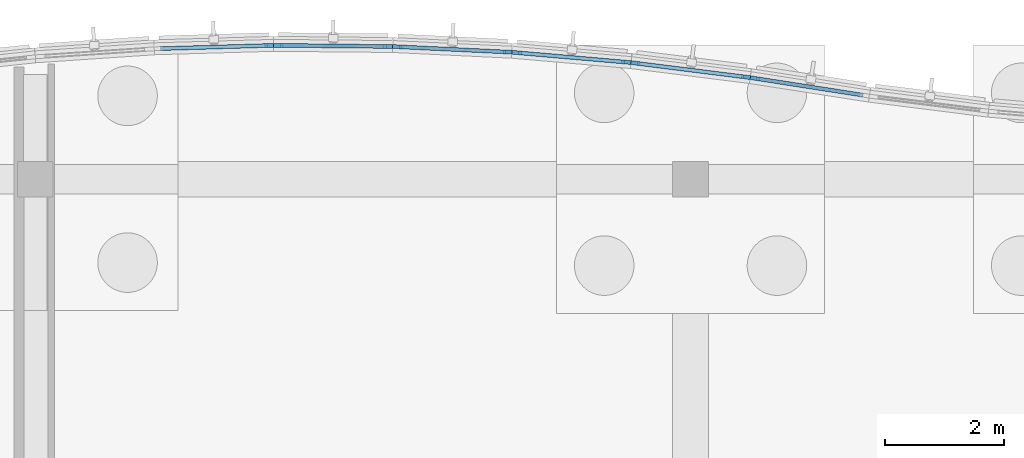
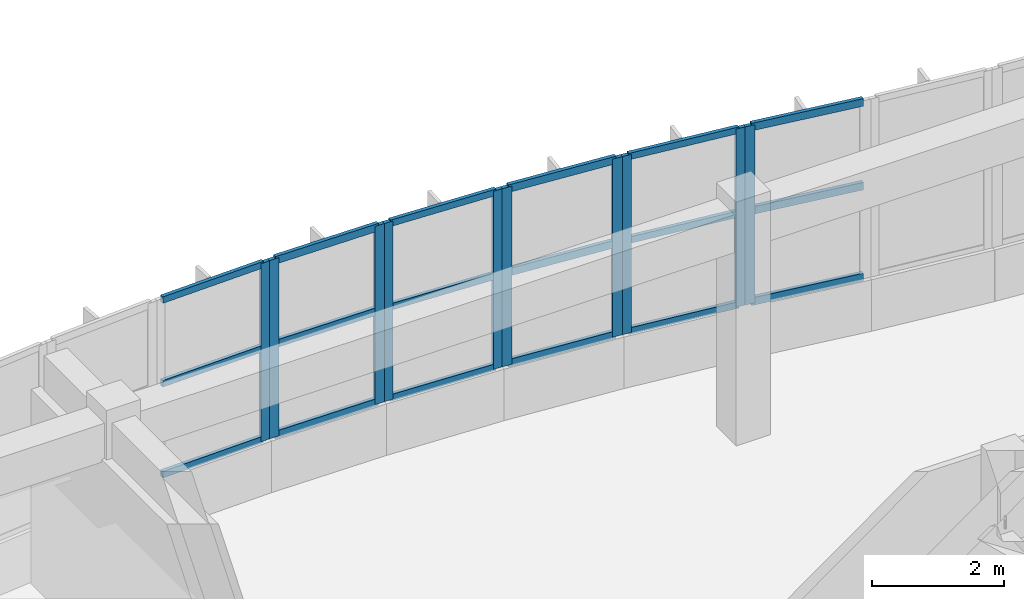
# One storey, part 37 of 99: 28 members, 6 elements without a shape of their own.
"""IFC4 building model written with IfcOpenShell, lengths in metres."""

from ifc_helpers import new_model, si_unit, direction, frame, origin, origin_2d, place, context, subcontext, project, spatial, rectangle, extrude, material, layer, layer_set, material_profile, profile_set, type_object, element, aggregate, save


model = new_model("IFC4")

# Units and contexts
model_context = context("Model", 3, precision=1e-05, world=origin(), true_north=direction((0.0, 1.0)))
body_context = subcontext(model_context, "Body", "Model", "MODEL_VIEW")
ifc_project = project(units=[si_unit("LENGTHUNIT", "METRE"), si_unit("AREAUNIT", "SQUARE_METRE"), si_unit("VOLUMEUNIT", "CUBIC_METRE"), si_unit("PLANEANGLEUNIT", "RADIAN"), si_unit("MASSUNIT", "GRAM", prefix="KILO")], contexts=[model_context])

# Site, building, storey
site_placement = place(None, origin())
site = spatial("IfcSite", under=ifc_project, at=site_placement, CompositionType="ELEMENT")
building_placement = place(site_placement, origin())
building = spatial("IfcBuilding", under=site, at=building_placement, Name="Tonlespit Floodbar School", CompositionType="ELEMENT")
storey_placement = place(building_placement, origin())
storey = spatial("IfcBuildingStorey", under=building, at=storey_placement, Name="L00", CompositionType="ELEMENT", Elevation=0.0)

# Curtain wall, member
ifc_material = material(Name="Anodised Aluminium", Category="aluminium")
ifc_layer_1 = layer(ifc_material, 0.159912109375)
ifc_layer_set_1 = layer_set([ifc_layer_1], Name="Anodised Aluminium")
curtain_wall_type_1 = type_object("IfcCurtainWallType", Name="CurtainWall_1900x3300", PredefinedType="NOTDEFINED", material=ifc_layer_set_1)
curtain_wall_1_placement = place(storey_placement, origin())
curtain_wall_1 = element("IfcCurtainWall", 1, at=curtain_wall_1_placement, inside=storey, type_object=curtain_wall_type_1, Name="L00 unitised curtain wall 0340", PredefinedType="NOTDEFINED")
ifc_material_profile_1 = material_profile(ifc_material, rectangle(XDim=0.06494140625, YDim=0.14990234375, at=origin_2d()), Name="ALU M65x150")
ifc_profile_set_1 = profile_set([ifc_material_profile_1], Name="Anodised Aluminium")
member_type_1 = type_object("IfcMemberType", Name="CW_Mullion_65x150", PredefinedType="MULLION", material=ifc_profile_set_1)
member_1_placement = place(storey_placement, frame((119.927490234375, 122.244873046875, 0.949951171875), z_axis=(0.0, 0.0, 1.0), x_axis=(-0.028790144226, 0.999585477883, 0.0)))
member_1 = element("IfcMember", 2, at=member_1_placement, type_object=member_type_1, Name="CW-02 mullion 2", PredefinedType="MULLION", context=body_context, shape_type="SweptSolid", body=[
    extrude(rectangle(XDim=0.06494140625, YDim=0.14990234375, at=origin_2d()), origin(), (0.0, 0.0, 1.0), 3.2900390625),
])

# Curtain wall, members
curtain_wall_2_placement = place(storey_placement, origin())
curtain_wall_2 = element("IfcCurtainWall", 3, at=curtain_wall_2_placement, inside=storey, type_object=curtain_wall_type_1, Name="L00 unitised curtain wall 0342", PredefinedType="NOTDEFINED")
member_2_placement = place(storey_placement, frame((122.072509765625, 122.224365234375, 0.949951171875), z_axis=(0.0, 0.0, 1.0), x_axis=(0.048121270216, 0.998841500616, 0.0)))
member_2 = element("IfcMember", 4, at=member_2_placement, type_object=member_type_1, Name="CW-02 mullion 1", PredefinedType="MULLION", context=body_context, shape_type="SweptSolid", body=[
    extrude(rectangle(XDim=0.06494140625, YDim=0.14990234375, at=origin_2d()), origin(), (0.0, 0.0, 1.0), 3.2900390625),
])
member_3_placement = place(storey_placement, frame((123.927490234375, 122.135009765625, 0.949951171875), z_axis=(0.0, 0.0, 1.0), x_axis=(0.048121270216, 0.998841500616, 0.0)))
member_3 = element("IfcMember", 5, at=member_3_placement, type_object=member_type_1, Name="CW-02 mullion 2", PredefinedType="MULLION", context=body_context, shape_type="SweptSolid", body=[
    extrude(rectangle(XDim=0.06494140625, YDim=0.14990234375, at=origin_2d()), origin(), (0.0, 0.0, 1.0), 3.2900390625),
])

ifc_layer_2 = layer(ifc_material, 0.159912109375)
ifc_layer_set_2 = layer_set([ifc_layer_2], Name="Anodised Aluminium")
curtain_wall_type_2 = type_object("IfcCurtainWallType", Name="CurtainWall_1950x3300", PredefinedType="NOTDEFINED", material=ifc_layer_set_2)
curtain_wall_3_placement = place(storey_placement, origin())
curtain_wall_3 = element("IfcCurtainWall", 6, at=curtain_wall_3_placement, inside=storey, type_object=curtain_wall_type_2, Name="L00 unitised curtain wall 0344", PredefinedType="NOTDEFINED")
member_4_placement = place(storey_placement, frame((126.072021484375, 121.94873046875, 0.949951171875), z_axis=(0.0, 0.0, 1.0), x_axis=(0.125013803299, 0.992155002499, 0.0)))
member_4 = element("IfcMember", 7, at=member_4_placement, type_object=member_type_1, Name="CW-01 mullion 1", PredefinedType="MULLION", context=body_context, shape_type="SweptSolid", body=[
    extrude(rectangle(XDim=0.06494140625, YDim=0.14990234375, at=origin_2d()), origin(), (0.0, 0.0, 1.0), 3.2900390625),
])
member_5_placement = place(storey_placement, frame((127.927978515625, 121.71484375, 0.949951171875), z_axis=(0.0, 0.0, 1.0), x_axis=(0.125013803299, 0.992155002499, 0.0)))
member_5 = element("IfcMember", 8, at=member_5_placement, type_object=member_type_1, Name="CW-01 mullion 2", PredefinedType="MULLION", context=body_context, shape_type="SweptSolid", body=[
    extrude(rectangle(XDim=0.06494140625, YDim=0.14990234375, at=origin_2d()), origin(), (0.0, 0.0, 1.0), 3.2900390625),
])

curtain_wall_4_placement = place(storey_placement, origin())
curtain_wall_4 = element("IfcCurtainWall", 9, at=curtain_wall_4_placement, inside=storey, type_object=curtain_wall_type_1, Name="L00 unitised curtain wall 0341", PredefinedType="NOTDEFINED")
ifc_material_profile_2 = material_profile(ifc_material, rectangle(XDim=0.06494140625, YDim=0.179931640625, at=origin_2d()), Name="ALU M65x180")
ifc_profile_set_2 = profile_set([ifc_material_profile_2], Name="Anodised Aluminium")
member_type_2 = type_object("IfcMemberType", Name="CW_Mullion_65x180", PredefinedType="MULLION", material=ifc_profile_set_2)
member_6_placement = place(storey_placement, frame((120.072509765625, 122.246337890625, 0.949951171875), z_axis=(0.0, 0.0, 1.0), x_axis=(0.009582893292, 0.999954083024, 0.0)))
member_6 = element("IfcMember", 10, at=member_6_placement, type_object=member_type_2, Name="CW-02 mullion 1", PredefinedType="MULLION", context=body_context, shape_type="SweptSolid", body=[
    extrude(rectangle(XDim=0.06494140625, YDim=0.179931640625, at=origin_2d()), origin(), (0.0, 0.0, 1.0), 3.2900390625),
])
member_7_placement = place(storey_placement, frame((121.927490234375, 122.228515625, 0.949951171875), z_axis=(0.0, 0.0, 1.0), x_axis=(0.009582893292, 0.999954083024, 0.0)))
member_7 = element("IfcMember", 11, at=member_7_placement, type_object=member_type_2, Name="CW-02 mullion 2", PredefinedType="MULLION", context=body_context, shape_type="SweptSolid", body=[
    extrude(rectangle(XDim=0.06494140625, YDim=0.179931640625, at=origin_2d()), origin(), (0.0, 0.0, 1.0), 3.2900390625),
])

curtain_wall_5_placement = place(storey_placement, origin())
curtain_wall_5 = element("IfcCurtainWall", 12, at=curtain_wall_5_placement, inside=storey, type_object=curtain_wall_type_2, Name="L00 unitised curtain wall 0343", PredefinedType="NOTDEFINED")
member_8_placement = place(storey_placement, frame((124.072265625, 122.125244140625, 0.949951171875), z_axis=(0.0, 0.0, 1.0), x_axis=(0.086531117454, 0.996249148412, 0.0)))
member_8 = element("IfcMember", 13, at=member_8_placement, type_object=member_type_2, Name="CW-01 mullion 1", PredefinedType="MULLION", context=body_context, shape_type="SweptSolid", body=[
    extrude(rectangle(XDim=0.06494140625, YDim=0.179931640625, at=origin_2d()), origin(), (0.0, 0.0, 1.0), 3.2900390625),
])
member_9_placement = place(storey_placement, frame((125.927734375, 121.964111328125, 0.949951171875), z_axis=(0.0, 0.0, 1.0), x_axis=(0.086531117454, 0.996249148412, 0.0)))
member_9 = element("IfcMember", 14, at=member_9_placement, type_object=member_type_2, Name="CW-01 mullion 2", PredefinedType="MULLION", context=body_context, shape_type="SweptSolid", body=[
    extrude(rectangle(XDim=0.06494140625, YDim=0.179931640625, at=origin_2d()), origin(), (0.0, 0.0, 1.0), 3.2900390625),
])

# Curtain wall, member
curtain_wall_6_placement = place(storey_placement, origin())
curtain_wall_6 = element("IfcCurtainWall", 15, at=curtain_wall_6_placement, inside=storey, type_object=curtain_wall_type_2, Name="L00 unitised curtain wall 0345", PredefinedType="NOTDEFINED")
member_10_placement = place(storey_placement, frame((128.071533203125, 121.694580078125, 0.949951171875), z_axis=(0.0, 0.0, 1.0), x_axis=(0.153796288585, 0.988102576465, 0.0)))
member_10 = element("IfcMember", 16, at=member_10_placement, type_object=member_type_2, Name="CW-01 mullion 1", PredefinedType="MULLION", context=body_context, shape_type="SweptSolid", body=[
    extrude(rectangle(XDim=0.06494140625, YDim=0.179931640625, at=origin_2d()), origin(), (0.0, 0.0, 1.0), 3.2900390625),
])

# Member
ifc_material_profile_3 = material_profile(ifc_material, rectangle(XDim=0.06494140625, YDim=0.1201171875, at=origin_2d()), Name="ALU T65x120")
ifc_profile_set_3 = profile_set([ifc_material_profile_3], Name="Anodised Aluminium")
member_type_3 = type_object("IfcMemberType", Name="CW_Transom_65x120", PredefinedType="USERDEFINED", material=ifc_profile_set_3)
member_11_placement = place(storey_placement, frame((118.10498046875, 122.1923828125, 0.982421875), z_axis=(0.999586171543, 0.02876605049, 0.0), x_axis=(-0.02876605049, 0.999586171543, 0.0)))
member_11 = element("IfcMember", 17, at=member_11_placement, type_object=member_type_3, Name="CW-02 transom 1.1", ObjectType="TRANSOM", PredefinedType="USERDEFINED", context=body_context, shape_type="SweptSolid", body=[
    extrude(rectangle(XDim=0.06494140625, YDim=0.1201171875, at=origin_2d()), origin(), (0.0, 0.0, 1.0), 1.790771484375),
])

member_12_placement = place(storey_placement, frame((118.10498046875, 122.1923828125, 2.660888671875), z_axis=(0.999586171543, 0.02876605049, 0.0), x_axis=(-0.02876605049, 0.999586171543, 0.0)))
member_12 = element("IfcMember", 18, at=member_12_placement, type_object=member_type_3, Name="CW-02 transom 1.2", ObjectType="TRANSOM", PredefinedType="USERDEFINED", context=body_context, shape_type="SweptSolid", body=[
    extrude(rectangle(XDim=0.06494140625, YDim=0.1201171875, at=origin_2d()), origin(), (0.0, 0.0, 1.0), 1.790771484375),
])

member_13_placement = place(storey_placement, frame((118.10498046875, 122.1923828125, 4.20751953125), z_axis=(0.999586171543, 0.02876605049, 0.0), x_axis=(-0.02876605049, 0.999586171543, 0.0)))
member_13 = element("IfcMember", 19, at=member_13_placement, type_object=member_type_3, Name="CW-02 transom 1.3", ObjectType="TRANSOM", PredefinedType="USERDEFINED", context=body_context, shape_type="SweptSolid", body=[
    extrude(rectangle(XDim=0.06494140625, YDim=0.1201171875, at=origin_2d()), origin(), (0.0, 0.0, 1.0), 1.790771484375),
])

aggregate(curtain_wall_1, [member_1, member_11, member_12, member_13])

member_14_placement = place(storey_placement, frame((122.10498046875, 122.22265625, 0.982421875), z_axis=(0.998843034795, -0.048089415069, 0.0), x_axis=(0.048089415069, 0.998843034795, 0.0)))
member_14 = element("IfcMember", 20, at=member_14_placement, type_object=member_type_3, Name="CW-02 transom 1.1", ObjectType="TRANSOM", PredefinedType="USERDEFINED", context=body_context, shape_type="SweptSolid", body=[
    extrude(rectangle(XDim=0.06494140625, YDim=0.1201171875, at=origin_2d()), origin(), (0.0, 0.0, 1.0), 1.7919921875),
])

member_15_placement = place(storey_placement, frame((122.10498046875, 122.22265625, 2.660888671875), z_axis=(0.998843034795, -0.048089415069, 0.0), x_axis=(0.048089415069, 0.998843034795, 0.0)))
member_15 = element("IfcMember", 21, at=member_15_placement, type_object=member_type_3, Name="CW-02 transom 1.2", ObjectType="TRANSOM", PredefinedType="USERDEFINED", context=body_context, shape_type="SweptSolid", body=[
    extrude(rectangle(XDim=0.06494140625, YDim=0.1201171875, at=origin_2d()), origin(), (0.0, 0.0, 1.0), 1.7919921875),
])

member_16_placement = place(storey_placement, frame((122.10498046875, 122.22265625, 4.20751953125), z_axis=(0.998843034795, -0.048089415069, 0.0), x_axis=(0.048089415069, 0.998843034795, 0.0)))
member_16 = element("IfcMember", 22, at=member_16_placement, type_object=member_type_3, Name="CW-02 transom 1.3", ObjectType="TRANSOM", PredefinedType="USERDEFINED", context=body_context, shape_type="SweptSolid", body=[
    extrude(rectangle(XDim=0.06494140625, YDim=0.1201171875, at=origin_2d()), origin(), (0.0, 0.0, 1.0), 1.7919921875),
])

aggregate(curtain_wall_2, [member_2, member_3, member_14, member_15, member_16])

member_17_placement = place(storey_placement, frame((126.104248046875, 121.944580078125, 0.982421875), z_axis=(0.992148373735, -0.125066400341, 0.0), x_axis=(0.125066400341, 0.992148373735, 0.0)))
member_17 = element("IfcMember", 23, at=member_17_placement, type_object=member_type_3, Name="CW-01 transom 1.1", ObjectType="TRANSOM", PredefinedType="USERDEFINED", context=body_context, shape_type="SweptSolid", body=[
    extrude(rectangle(XDim=0.06494140625, YDim=0.1201171875, at=origin_2d()), origin(), (0.0, 0.0, 1.0), 1.8056640625),
])

member_18_placement = place(storey_placement, frame((126.104248046875, 121.944580078125, 2.660888671875), z_axis=(0.992148373735, -0.125066400341, 0.0), x_axis=(0.125066400341, 0.992148373735, 0.0)))
member_18 = element("IfcMember", 24, at=member_18_placement, type_object=member_type_3, Name="CW-01 transom 1.2", ObjectType="TRANSOM", PredefinedType="USERDEFINED", context=body_context, shape_type="SweptSolid", body=[
    extrude(rectangle(XDim=0.06494140625, YDim=0.1201171875, at=origin_2d()), origin(), (0.0, 0.0, 1.0), 1.8056640625),
])

member_19_placement = place(storey_placement, frame((126.104248046875, 121.944580078125, 4.20751953125), z_axis=(0.992148373735, -0.125066400341, 0.0), x_axis=(0.125066400341, 0.992148373735, 0.0)))
member_19 = element("IfcMember", 25, at=member_19_placement, type_object=member_type_3, Name="CW-01 transom 1.3", ObjectType="TRANSOM", PredefinedType="USERDEFINED", context=body_context, shape_type="SweptSolid", body=[
    extrude(rectangle(XDim=0.06494140625, YDim=0.1201171875, at=origin_2d()), origin(), (0.0, 0.0, 1.0), 1.8056640625),
])

aggregate(curtain_wall_3, [member_4, member_5, member_17, member_18, member_19])

ifc_material_profile_4 = material_profile(ifc_material, rectangle(XDim=0.06494140625, YDim=0.139892578125, at=origin_2d()), Name="ALU T65x140")
ifc_profile_set_4 = profile_set([ifc_material_profile_4], Name="Anodised Aluminium")
member_type_4 = type_object("IfcMemberType", Name="CW_Transom_65x140", PredefinedType="USERDEFINED", material=ifc_profile_set_4)
member_20_placement = place(storey_placement, frame((120.10498046875, 122.24609375, 0.982421875), z_axis=(0.999953117448, -0.009683124842, 0.0), x_axis=(0.009683124842, 0.999953117448, 0.0)))
member_20 = element("IfcMember", 26, at=member_20_placement, type_object=member_type_4, Name="CW-02 transom 1.1", ObjectType="TRANSOM", PredefinedType="USERDEFINED", context=body_context, shape_type="SweptSolid", body=[
    extrude(rectangle(XDim=0.06494140625, YDim=0.139892578125, at=origin_2d()), origin(), (0.0, 0.0, 1.0), 1.7900390625),
])

member_21_placement = place(storey_placement, frame((120.10498046875, 122.24609375, 2.660888671875), z_axis=(0.999953117448, -0.009683124842, 0.0), x_axis=(0.009683124842, 0.999953117448, 0.0)))
member_21 = element("IfcMember", 27, at=member_21_placement, type_object=member_type_4, Name="CW-02 transom 1.2", ObjectType="TRANSOM", PredefinedType="USERDEFINED", context=body_context, shape_type="SweptSolid", body=[
    extrude(rectangle(XDim=0.06494140625, YDim=0.139892578125, at=origin_2d()), origin(), (0.0, 0.0, 1.0), 1.7900390625),
])

member_22_placement = place(storey_placement, frame((120.10498046875, 122.24609375, 4.20751953125), z_axis=(0.999953117448, -0.009683124842, 0.0), x_axis=(0.009683124842, 0.999953117448, 0.0)))
member_22 = element("IfcMember", 28, at=member_22_placement, type_object=member_type_4, Name="CW-02 transom 1.3", ObjectType="TRANSOM", PredefinedType="USERDEFINED", context=body_context, shape_type="SweptSolid", body=[
    extrude(rectangle(XDim=0.06494140625, YDim=0.139892578125, at=origin_2d()), origin(), (0.0, 0.0, 1.0), 1.7900390625),
])

aggregate(curtain_wall_4, [member_6, member_7, member_20, member_21, member_22])

member_23_placement = place(storey_placement, frame((124.1044921875, 122.122314453125, 0.982421875), z_axis=(0.996251281774, -0.086506552139, 0.0), x_axis=(0.086506552139, 0.996251281774, 0.0)))
member_23 = element("IfcMember", 29, at=member_23_placement, type_object=member_type_4, Name="CW-01 transom 1.1", ObjectType="TRANSOM", PredefinedType="USERDEFINED", context=body_context, shape_type="SweptSolid", body=[
    extrude(rectangle(XDim=0.06494140625, YDim=0.139892578125, at=origin_2d()), origin(), (0.0, 0.0, 1.0), 1.7978515625),
])

member_24_placement = place(storey_placement, frame((124.1044921875, 122.122314453125, 2.660888671875), z_axis=(0.996251281774, -0.086506552139, 0.0), x_axis=(0.086506552139, 0.996251281774, 0.0)))
member_24 = element("IfcMember", 30, at=member_24_placement, type_object=member_type_4, Name="CW-01 transom 1.2", ObjectType="TRANSOM", PredefinedType="USERDEFINED", context=body_context, shape_type="SweptSolid", body=[
    extrude(rectangle(XDim=0.06494140625, YDim=0.139892578125, at=origin_2d()), origin(), (0.0, 0.0, 1.0), 1.7978515625),
])

member_25_placement = place(storey_placement, frame((124.1044921875, 122.122314453125, 4.20751953125), z_axis=(0.996251281774, -0.086506552139, 0.0), x_axis=(0.086506552139, 0.996251281774, 0.0)))
member_25 = element("IfcMember", 31, at=member_25_placement, type_object=member_type_4, Name="CW-01 transom 1.3", ObjectType="TRANSOM", PredefinedType="USERDEFINED", context=body_context, shape_type="SweptSolid", body=[
    extrude(rectangle(XDim=0.06494140625, YDim=0.139892578125, at=origin_2d()), origin(), (0.0, 0.0, 1.0), 1.7978515625),
])

aggregate(curtain_wall_5, [member_8, member_9, member_23, member_24, member_25])

member_26_placement = place(storey_placement, frame((128.103759765625, 121.689453125, 0.982421875), z_axis=(0.988097838313, -0.15382672694, 0.0), x_axis=(0.15382672694, 0.988097838313, 0.0)))
member_26 = element("IfcMember", 32, at=member_26_placement, type_object=member_type_4, Name="CW-01 transom 1.1", ObjectType="TRANSOM", PredefinedType="USERDEFINED", context=body_context, shape_type="SweptSolid", body=[
    extrude(rectangle(XDim=0.06494140625, YDim=0.139892578125, at=origin_2d()), origin(), (0.0, 0.0, 1.0), 1.81396484375),
])

member_27_placement = place(storey_placement, frame((128.103759765625, 121.689453125, 2.660888671875), z_axis=(0.988097838313, -0.15382672694, 0.0), x_axis=(0.15382672694, 0.988097838313, 0.0)))
member_27 = element("IfcMember", 33, at=member_27_placement, type_object=member_type_4, Name="CW-01 transom 1.2", ObjectType="TRANSOM", PredefinedType="USERDEFINED", context=body_context, shape_type="SweptSolid", body=[
    extrude(rectangle(XDim=0.06494140625, YDim=0.139892578125, at=origin_2d()), origin(), (0.0, 0.0, 1.0), 1.81396484375),
])

member_28_placement = place(storey_placement, frame((128.103759765625, 121.689453125, 4.20751953125), z_axis=(0.988097838313, -0.15382672694, 0.0), x_axis=(0.15382672694, 0.988097838313, 0.0)))
member_28 = element("IfcMember", 34, at=member_28_placement, type_object=member_type_4, Name="CW-01 transom 1.3", ObjectType="TRANSOM", PredefinedType="USERDEFINED", context=body_context, shape_type="SweptSolid", body=[
    extrude(rectangle(XDim=0.06494140625, YDim=0.139892578125, at=origin_2d()), origin(), (0.0, 0.0, 1.0), 1.81396484375),
])

aggregate(curtain_wall_6, [member_10, member_26, member_27, member_28])

save(model, "model.ifc")
